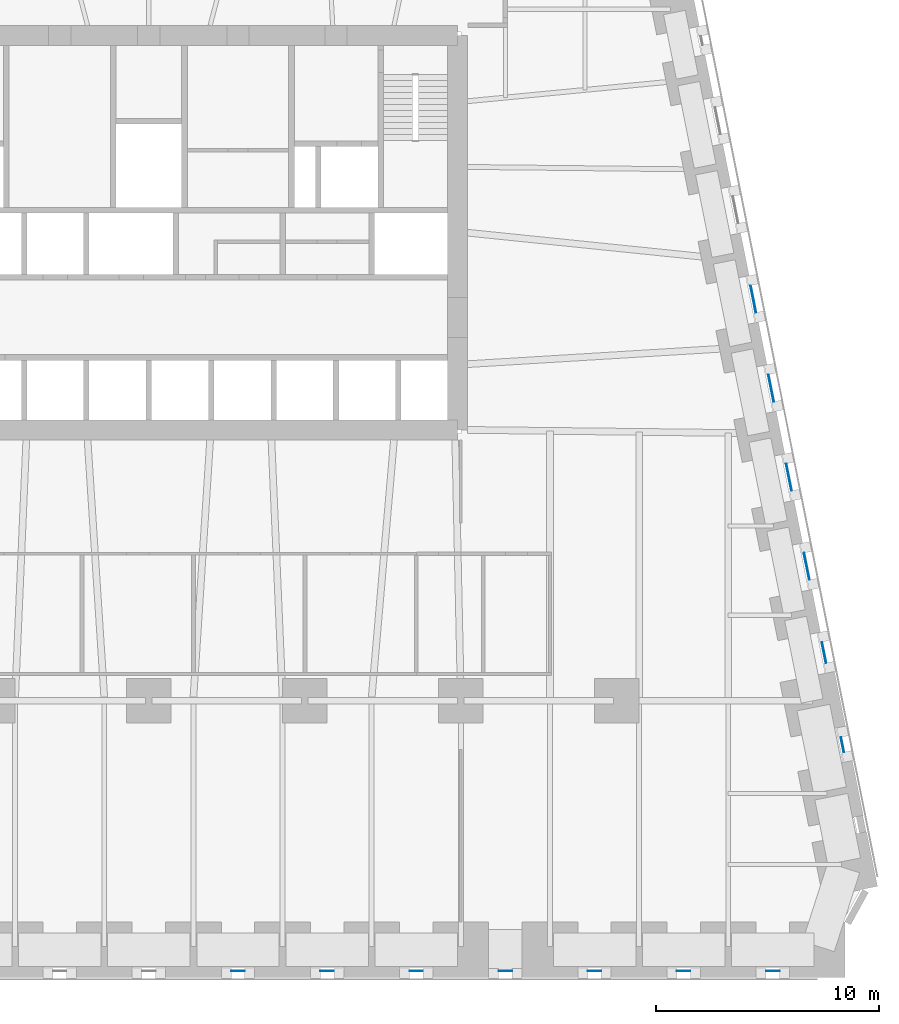
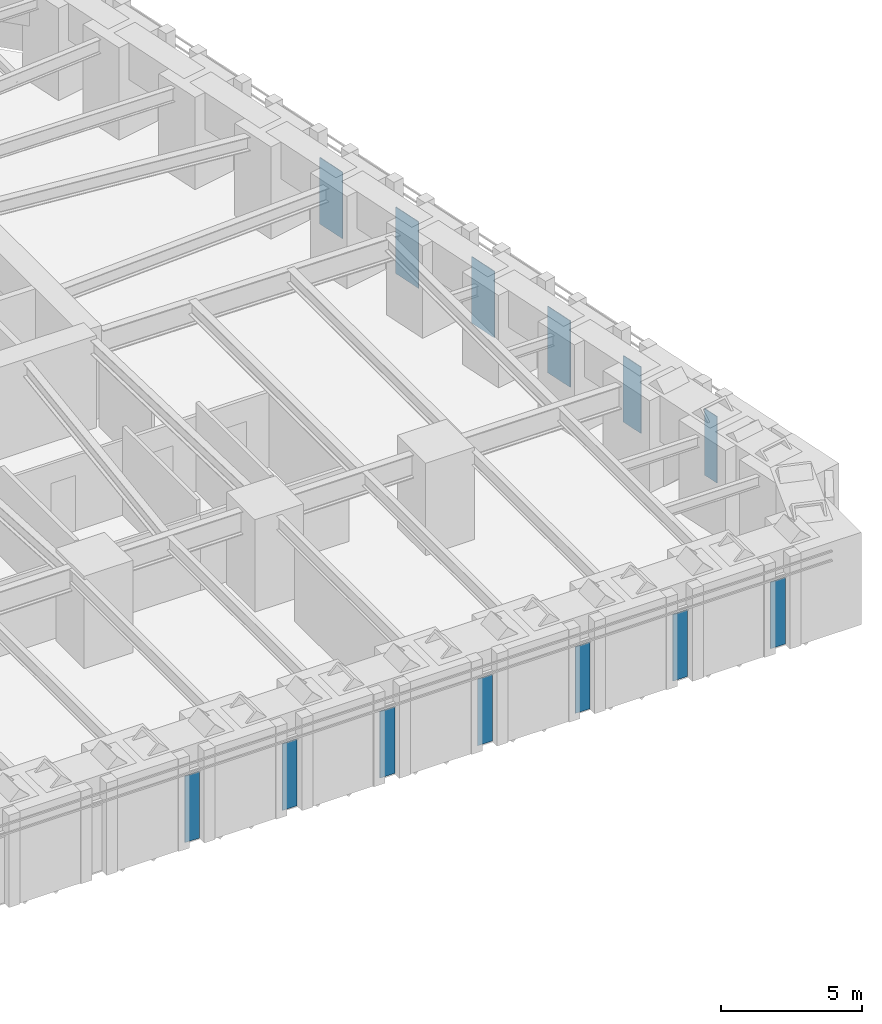
# One storey, part 9 of 16: 13 plates, 13 elements without a shape of their own.
"""IFC4 building model written with IfcOpenShell, lengths in metres."""

from ifc_helpers import new_model, si_unit, direction, frame, origin, origin_2d, place, context, subcontext, project, spatial, rectangle, extrude, material, layer, layer_set, type_object, element, aggregate, save


model = new_model("IFC4")

# Units and contexts
model_context = context("Model", 3, precision=1e-05, world=origin(), true_north=direction((0.0, 1.0)))
body_context = subcontext(model_context, "Body", "Model", "MODEL_VIEW")
ifc_project = project(units=[si_unit("LENGTHUNIT", "METRE"), si_unit("AREAUNIT", "SQUARE_METRE"), si_unit("VOLUMEUNIT", "CUBIC_METRE"), si_unit("PLANEANGLEUNIT", "RADIAN"), si_unit("MASSUNIT", "GRAM", prefix="KILO")], contexts=[model_context])

# Site, building, storey
site_placement = place(None, origin())
site = spatial("IfcSite", under=ifc_project, at=site_placement, CompositionType="ELEMENT")
building_placement = place(site_placement, origin())
building = spatial("IfcBuilding", under=site, at=building_placement, Name="Isbrekke Arena Tower", CompositionType="ELEMENT")
storey_placement = place(building_placement, frame((0.0, 0.0, 32.0)))
storey = spatial("IfcBuildingStorey", under=building, at=storey_placement, Name="L05", CompositionType="ELEMENT", Elevation=32.0)

# Curtain wall, plate
ifc_material_1 = material(Name="Glazed aluminium curtain wall", Category="aluminium")
curtain_wall_type = type_object("IfcCurtainWallType", Name="CWL TOWER CURTAIN WALL LOW ZONE", PredefinedType="USERDEFINED", material=ifc_material_1)
curtain_wall_1_placement = place(storey_placement, origin())
curtain_wall_1 = element("IfcCurtainWall", 1, at=curtain_wall_1_placement, inside=storey, type_object=curtain_wall_type, Name="CWL curtain wall L05-S17", ObjectType="TOWER CURTAIN WALL LOW ZONE", PredefinedType="USERDEFINED")
ifc_material_2 = material(Name="Triple-glazed clear glass unit", Category="glass")
ifc_layer = layer(ifc_material_2, 0.031982421875)
ifc_layer_set = layer_set([ifc_layer], Name="CWL-P VISION PANEL")
plate_type = type_object("IfcPlateType", Name="CWL-P VISION PANEL", PredefinedType="CURTAIN_PANEL", material=ifc_layer_set)
plate_1_placement = place(storey_placement, frame((4.0, -18.125, 0.02001953125), z_axis=(0.0, 0.0, 1.0), x_axis=(1.0, 0.0, 0.0)))
plate_1 = element("IfcPlate", 2, at=plate_1_placement, type_object=plate_type, Name="CWL-P panel 1", PredefinedType="CURTAIN_PANEL", context=body_context, shape_type="SweptSolid", body=[
    extrude(rectangle(XDim=0.60009765625, YDim=0.031982421875, at=origin_2d()), origin(), (0.0, 0.0, 1.0), 2.8798828125),
])
aggregate(curtain_wall_1, [plate_1])

curtain_wall_2_placement = place(storey_placement, origin())
curtain_wall_2 = element("IfcCurtainWall", 3, at=curtain_wall_2_placement, inside=storey, type_object=curtain_wall_type, Name="CWL curtain wall L05-S19", ObjectType="TOWER CURTAIN WALL LOW ZONE", PredefinedType="USERDEFINED")
plate_2_placement = place(storey_placement, frame((8.0, -18.125, 0.02001953125), z_axis=(0.0, 0.0, 1.0), x_axis=(1.0, 0.0, 0.0)))
plate_2 = element("IfcPlate", 4, at=plate_2_placement, type_object=plate_type, Name="CWL-P panel 1", PredefinedType="CURTAIN_PANEL", context=body_context, shape_type="SweptSolid", body=[
    extrude(rectangle(XDim=0.60009765625, YDim=0.031982421875, at=origin_2d()), origin(), (0.0, 0.0, 1.0), 2.8798828125),
])
aggregate(curtain_wall_2, [plate_2])

curtain_wall_3_placement = place(storey_placement, origin())
curtain_wall_3 = element("IfcCurtainWall", 5, at=curtain_wall_3_placement, inside=storey, type_object=curtain_wall_type, Name="CWL curtain wall L05-S21", ObjectType="TOWER CURTAIN WALL LOW ZONE", PredefinedType="USERDEFINED")
plate_3_placement = place(storey_placement, frame((12.0, -18.125, 0.02001953125), z_axis=(0.0, 0.0, 1.0), x_axis=(1.0, 0.0, 0.0)))
plate_3 = element("IfcPlate", 6, at=plate_3_placement, type_object=plate_type, Name="CWL-P panel 1", PredefinedType="CURTAIN_PANEL", context=body_context, shape_type="SweptSolid", body=[
    extrude(rectangle(XDim=0.60009765625, YDim=0.031982421875, at=origin_2d()), origin(), (0.0, 0.0, 1.0), 2.8798828125),
])
aggregate(curtain_wall_3, [plate_3])

curtain_wall_4_placement = place(storey_placement, origin())
curtain_wall_4 = element("IfcCurtainWall", 7, at=curtain_wall_4_placement, inside=storey, type_object=curtain_wall_type, Name="CWL curtain wall L05-S23", ObjectType="TOWER CURTAIN WALL LOW ZONE", PredefinedType="USERDEFINED")
plate_4_placement = place(storey_placement, frame((16.0, -18.125, 0.02001953125), z_axis=(0.0, 0.0, 1.0), x_axis=(1.0, 0.0, 0.0)))
plate_4 = element("IfcPlate", 8, at=plate_4_placement, type_object=plate_type, Name="CWL-P panel 1", PredefinedType="CURTAIN_PANEL", context=body_context, shape_type="SweptSolid", body=[
    extrude(rectangle(XDim=0.60009765625, YDim=0.031982421875, at=origin_2d()), origin(), (0.0, 0.0, 1.0), 2.8798828125),
])
aggregate(curtain_wall_4, [plate_4])

curtain_wall_5_placement = place(storey_placement, origin())
curtain_wall_5 = element("IfcCurtainWall", 9, at=curtain_wall_5_placement, inside=storey, type_object=curtain_wall_type, Name="CWL curtain wall L05-S25", ObjectType="TOWER CURTAIN WALL LOW ZONE", PredefinedType="USERDEFINED")
plate_5_placement = place(storey_placement, frame((20.0, -18.125, 0.02001953125), z_axis=(0.0, 0.0, 1.0), x_axis=(1.0, 0.0, 0.0)))
plate_5 = element("IfcPlate", 10, at=plate_5_placement, type_object=plate_type, Name="CWL-P panel 1", PredefinedType="CURTAIN_PANEL", context=body_context, shape_type="SweptSolid", body=[
    extrude(rectangle(XDim=0.60009765625, YDim=0.031982421875, at=origin_2d()), origin(), (0.0, 0.0, 1.0), 2.8798828125),
])
aggregate(curtain_wall_5, [plate_5])

curtain_wall_6_placement = place(storey_placement, origin())
curtain_wall_6 = element("IfcCurtainWall", 11, at=curtain_wall_6_placement, inside=storey, type_object=curtain_wall_type, Name="CWL curtain wall L05-S27", ObjectType="TOWER CURTAIN WALL LOW ZONE", PredefinedType="USERDEFINED")
plate_6_placement = place(storey_placement, frame((24.0, -18.125, 0.02001953125), z_axis=(0.0, 0.0, 1.0), x_axis=(1.0, 0.0, 0.0)))
plate_6 = element("IfcPlate", 12, at=plate_6_placement, type_object=plate_type, Name="CWL-P panel 1", PredefinedType="CURTAIN_PANEL", context=body_context, shape_type="SweptSolid", body=[
    extrude(rectangle(XDim=0.60009765625, YDim=0.031982421875, at=origin_2d()), origin(), (0.0, 0.0, 1.0), 2.8798828125),
])
aggregate(curtain_wall_6, [plate_6])

curtain_wall_7_placement = place(storey_placement, origin())
curtain_wall_7 = element("IfcCurtainWall", 13, at=curtain_wall_7_placement, inside=storey, type_object=curtain_wall_type, Name="CWL curtain wall L05-S29", ObjectType="TOWER CURTAIN WALL LOW ZONE", PredefinedType="USERDEFINED")
plate_7_placement = place(storey_placement, frame((28.0009765625, -18.125, 0.02001953125), z_axis=(0.0, 0.0, 1.0), x_axis=(1.0, 0.0, 0.0)))
plate_7 = element("IfcPlate", 14, at=plate_7_placement, type_object=plate_type, Name="CWL-P panel 1", PredefinedType="CURTAIN_PANEL", context=body_context, shape_type="SweptSolid", body=[
    extrude(rectangle(XDim=0.60205078125, YDim=0.031982421875, at=origin_2d()), origin(), (0.0, 0.0, 1.0), 2.8798828125),
])
aggregate(curtain_wall_7, [plate_7])

curtain_wall_8_placement = place(storey_placement, origin())
curtain_wall_8 = element("IfcCurtainWall", 15, at=curtain_wall_8_placement, inside=storey, type_object=curtain_wall_type, Name="CWL curtain wall L05-E3", ObjectType="TOWER CURTAIN WALL LOW ZONE", PredefinedType="USERDEFINED")
plate_8_placement = place(storey_placement, frame((31.12255859375, -7.9755859375, 0.02001953125), z_axis=(0.0, 0.0, 1.0), x_axis=(-0.196116135138, 0.980580675691, 0.0)))
plate_8 = element("IfcPlate", 16, at=plate_8_placement, type_object=plate_type, Name="CWL-P panel 1", PredefinedType="CURTAIN_PANEL", context=body_context, shape_type="SweptSolid", body=[
    extrude(rectangle(XDim=0.67919921875, YDim=0.031982421875, at=origin_2d()), origin(), (0.0, 0.0, 1.0), 2.8798828125),
])
aggregate(curtain_wall_8, [plate_8])

curtain_wall_9_placement = place(storey_placement, origin())
curtain_wall_9 = element("IfcCurtainWall", 17, at=curtain_wall_9_placement, inside=storey, type_object=curtain_wall_type, Name="CWL curtain wall L05-E5", ObjectType="TOWER CURTAIN WALL LOW ZONE", PredefinedType="USERDEFINED")
plate_9_placement = place(storey_placement, frame((30.295654296875, -3.840576171875, 0.02001953125), z_axis=(0.0, 0.0, 1.0), x_axis=(-0.196116135138, 0.980580675691, 0.0)))
plate_9 = element("IfcPlate", 18, at=plate_9_placement, type_object=plate_type, Name="CWL-P panel 1", PredefinedType="CURTAIN_PANEL", context=body_context, shape_type="SweptSolid", body=[
    extrude(rectangle(XDim=0.9541015625, YDim=0.031982421875, at=origin_2d()), origin(), (0.0, 0.0, 1.0), 2.8798828125),
])
aggregate(curtain_wall_9, [plate_9])

curtain_wall_10_placement = place(storey_placement, origin())
curtain_wall_10 = element("IfcCurtainWall", 19, at=curtain_wall_10_placement, inside=storey, type_object=curtain_wall_type, Name="CWL curtain wall L05-E7", ObjectType="TOWER CURTAIN WALL LOW ZONE", PredefinedType="USERDEFINED")
plate_10_placement = place(storey_placement, frame((29.5224609375, 0.0244140625, 0.02001953125), z_axis=(0.0, 0.0, 1.0), x_axis=(-0.196116135138, 0.980580675691, 0.0)))
plate_10 = element("IfcPlate", 20, at=plate_10_placement, type_object=plate_type, Name="CWL-P panel 1", PredefinedType="CURTAIN_PANEL", context=body_context, shape_type="SweptSolid", body=[
    extrude(rectangle(XDim=1.229248046875, YDim=0.031982421875, at=origin_2d()), origin(), (0.0, 0.0, 1.0), 2.8798828125),
])
aggregate(curtain_wall_10, [plate_10])

curtain_wall_11_placement = place(storey_placement, origin())
curtain_wall_11 = element("IfcCurtainWall", 21, at=curtain_wall_11_placement, inside=storey, type_object=curtain_wall_type, Name="CWL curtain wall L05-E9", ObjectType="TOWER CURTAIN WALL LOW ZONE", PredefinedType="USERDEFINED")
plate_11_placement = place(storey_placement, frame((28.72265625, 4.0244140625, 0.02001953125), z_axis=(0.0, 0.0, 1.0), x_axis=(-0.196116135138, 0.980580675691, 0.0)))
plate_11 = element("IfcPlate", 22, at=plate_11_placement, type_object=plate_type, Name="CWL-P panel 1", PredefinedType="CURTAIN_PANEL", context=body_context, shape_type="SweptSolid", body=[
    extrude(rectangle(XDim=1.229248046875, YDim=0.031982421875, at=origin_2d()), origin(), (0.0, 0.0, 1.0), 2.8798828125),
])
aggregate(curtain_wall_11, [plate_11])

curtain_wall_12_placement = place(storey_placement, origin())
curtain_wall_12 = element("IfcCurtainWall", 23, at=curtain_wall_12_placement, inside=storey, type_object=curtain_wall_type, Name="CWL curtain wall L05-E11", ObjectType="TOWER CURTAIN WALL LOW ZONE", PredefinedType="USERDEFINED")
plate_12_placement = place(storey_placement, frame((27.922607421875, 8.0244140625, 0.02001953125), z_axis=(0.0, 0.0, 1.0), x_axis=(-0.196116135138, 0.980580675691, 0.0)))
plate_12 = element("IfcPlate", 24, at=plate_12_placement, type_object=plate_type, Name="CWL-P panel 1", PredefinedType="CURTAIN_PANEL", context=body_context, shape_type="SweptSolid", body=[
    extrude(rectangle(XDim=1.229248046875, YDim=0.031982421875, at=origin_2d()), origin(), (0.0, 0.0, 1.0), 2.8798828125),
])
aggregate(curtain_wall_12, [plate_12])

curtain_wall_13_placement = place(storey_placement, origin())
curtain_wall_13 = element("IfcCurtainWall", 25, at=curtain_wall_13_placement, inside=storey, type_object=curtain_wall_type, Name="CWL curtain wall L05-E13", ObjectType="TOWER CURTAIN WALL LOW ZONE", PredefinedType="USERDEFINED")
plate_13_placement = place(storey_placement, frame((27.12255859375, 12.0244140625, 0.02001953125), z_axis=(0.0, 0.0, 1.0), x_axis=(-0.196116135138, 0.980580675691, 0.0)))
plate_13 = element("IfcPlate", 26, at=plate_13_placement, type_object=plate_type, Name="CWL-P panel 1", PredefinedType="CURTAIN_PANEL", context=body_context, shape_type="SweptSolid", body=[
    extrude(rectangle(XDim=1.229248046875, YDim=0.031982421875, at=origin_2d()), origin(), (0.0, 0.0, 1.0), 2.8798828125),
])
aggregate(curtain_wall_13, [plate_13])

save(model, "model.ifc")
